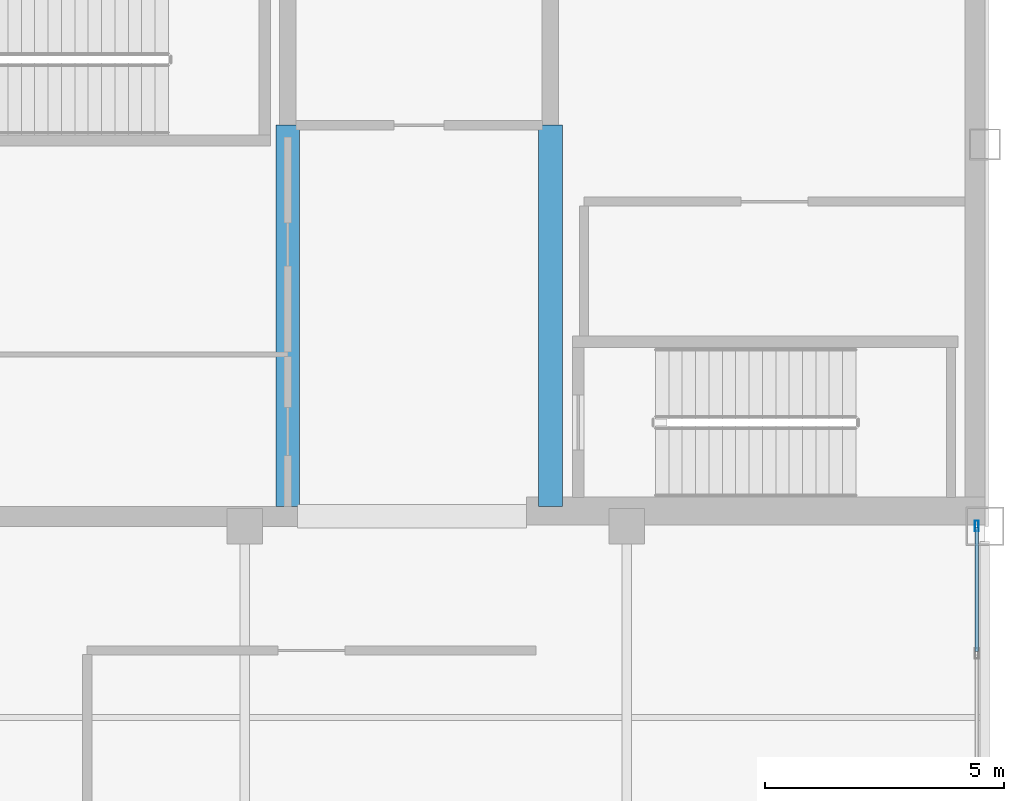
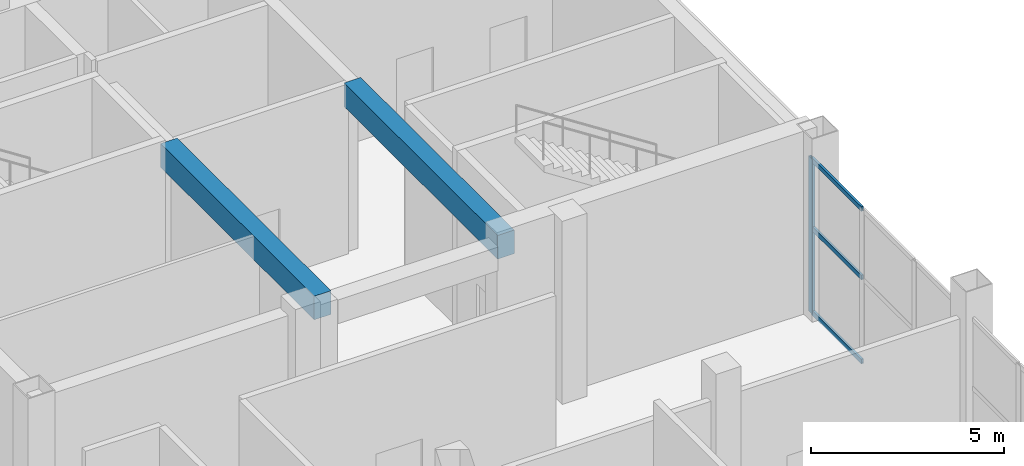
# One storey, part 10 of 18: 4 members, 2 beams, 1 element without a shape of its own.
"""IFC4 building model written with IfcOpenShell, lengths in metres."""

from ifc_helpers import new_model, si_unit, direction, frame, origin, origin_2d, place, context, subcontext, project, spatial, rectangle, hollow_rectangle, extrude, material, layer, layer_set, material_profile, profile_set, type_object, element, aggregate, save


model = new_model("IFC4")

# Units and contexts
model_context = context("Model", 3, precision=1e-05, world=origin(), true_north=direction((0.0, 1.0)))
body_context = subcontext(model_context, "Body", "Model", "MODEL_VIEW")
ifc_project = project(units=[si_unit("LENGTHUNIT", "METRE"), si_unit("AREAUNIT", "SQUARE_METRE"), si_unit("VOLUMEUNIT", "CUBIC_METRE"), si_unit("PLANEANGLEUNIT", "RADIAN"), si_unit("MASSUNIT", "GRAM", prefix="KILO")], contexts=[model_context])

# Site, building, storey
site_placement = place(None, origin())
site = spatial("IfcSite", under=ifc_project, at=site_placement, CompositionType="ELEMENT")
building_placement = place(site_placement, origin())
building = spatial("IfcBuilding", under=site, at=building_placement, Name="Qianrong Seaharbour Tower", CompositionType="ELEMENT")
storey_placement = place(building_placement, frame((0.0, 0.0, 367.199951171875)))
storey = spatial("IfcBuildingStorey", under=building, at=storey_placement, Name="L89", CompositionType="ELEMENT", Elevation=367.199951171875)

# Beams
ifc_material_1 = material(Name="Concrete C60/75", Category="concrete")
ifc_material_profile_1 = material_profile(ifc_material_1, rectangle(XDim=0.5, YDim=0.75, at=origin_2d()), Name="RC500x750")
ifc_profile_set_1 = profile_set([ifc_material_profile_1], Name="Concrete C60/75")
beam_type = type_object("IfcBeamType", Name="BM-LINTEL-750", PredefinedType="LINTEL", material=ifc_profile_set_1)
for number, where, z_axis, x_axis, name in (
    (1, (49.39990234375, 36.419921875, 5.01513671875), (0.0, 1.0, 0.0), (-1.0, 0.0, 0.0), "L89 Internal Core Coupling Beam IW1"),
    (2, (54.89990234375, 36.419921875, 5.01513671875), (0.0, 1.0, 0.0), (-1.0, 0.0, 0.0), "L89 Internal Core Coupling Beam IW2"),
):
    element("IfcBeam", number, at=place(storey_placement, frame(where, z_axis=z_axis, x_axis=x_axis)), inside=storey, type_object=beam_type, Name=name, PredefinedType="LINTEL", context=body_context, shape_type="SweptSolid", body=[
        extrude(rectangle(XDim=0.5, YDim=0.75, at=origin_2d()), origin(), (0.0, 0.0, 1.0), 7.97998046875),
    ])

# Curtain wall, members
ifc_material_2 = material(Name="Anodised aluminium 6063-T6 and laminated low-e glass", Category="aluminium")
ifc_layer = layer(ifc_material_2, 0.22998046875)
ifc_layer_set = layer_set([ifc_layer], Name="Anodised aluminium 6063-T6 and laminated low-e glass")
curtain_wall_type = type_object("IfcCurtainWallType", Name="CW-SYS-5", PredefinedType="NOTDEFINED", material=ifc_layer_set)
curtain_wall_placement = place(storey_placement, origin())
curtain_wall = element("IfcCurtainWall", 3, at=curtain_wall_placement, inside=storey, type_object=curtain_wall_type, Name="L89 Venturi Wind-Turbine Shroud Curtain Wall EAST_WING", PredefinedType="NOTDEFINED")
ifc_material_3 = material(Name="Extruded aluminium 6063-T6", Category="aluminium")
ifc_material_profile_2 = material_profile(ifc_material_3, hollow_rectangle(XDim=0.080078125, YDim=0.219970703125, WallThickness=0.0048828125, at=origin_2d()), Name="ALU-MUL-220x80x5")
ifc_profile_set_2 = profile_set([ifc_material_profile_2], Name="Extruded aluminium 6063-T6")
member_type_1 = type_object("IfcMemberType", Name="CW-MUL-220", PredefinedType="MULLION", material=ifc_profile_set_2)
member_1_placement = place(storey_placement, frame((63.830078125, 36.010009765625, 0.0), z_axis=(0.0, 0.0, 1.0), x_axis=(1.0, 0.0, 0.0)))
member_1 = element("IfcMember", 4, at=member_1_placement, type_object=member_type_1, Name="CW-5 mullion 1", PredefinedType="MULLION", context=body_context, shape_type="SweptSolid", body=[
    extrude(hollow_rectangle(XDim=0.080078125, YDim=0.219970703125, WallThickness=0.0048828125, at=origin_2d()), origin(), (0.0, 0.0, 1.0), 4.900146484375),
])
ifc_material_profile_3 = material_profile(ifc_material_3, hollow_rectangle(XDim=0.06494140625, YDim=0.14990234375, WallThickness=0.00390625, at=origin_2d()), Name="ALU-TRN-150x65x4")
ifc_profile_set_3 = profile_set([ifc_material_profile_3], Name="Extruded aluminium 6063-T6")
member_type_2 = type_object("IfcMemberType", Name="CW-TRN-150", PredefinedType="USERDEFINED", material=ifc_profile_set_3)
member_2_placement = place(storey_placement, frame((63.830078125, 35.969970703125, 0.032470703125), z_axis=(0.0, -1.0, 0.0), x_axis=(1.0, 0.0, 0.0)))
member_2 = element("IfcMember", 5, at=member_2_placement, type_object=member_type_2, Name="CW-5 transom 1.1", ObjectType="TRANSOM", PredefinedType="USERDEFINED", context=body_context, shape_type="SweptSolid", body=[
    extrude(hollow_rectangle(XDim=0.06494140625, YDim=0.14990234375, WallThickness=0.00390625, at=origin_2d()), origin(), (0.0, 0.0, 1.0), 2.590087890625),
])
member_3_placement = place(storey_placement, frame((63.830078125, 35.969970703125, 2.695068359375), z_axis=(0.0, -1.0, 0.0), x_axis=(1.0, 0.0, 0.0)))
member_3 = element("IfcMember", 6, at=member_3_placement, type_object=member_type_2, Name="CW-5 transom 1.2", ObjectType="TRANSOM", PredefinedType="USERDEFINED", context=body_context, shape_type="SweptSolid", body=[
    extrude(hollow_rectangle(XDim=0.06494140625, YDim=0.14990234375, WallThickness=0.00390625, at=origin_2d()), origin(), (0.0, 0.0, 1.0), 2.590087890625),
])
member_4_placement = place(storey_placement, frame((63.830078125, 35.969970703125, 4.867431640625), z_axis=(0.0, -1.0, 0.0), x_axis=(1.0, 0.0, 0.0)))
member_4 = element("IfcMember", 7, at=member_4_placement, type_object=member_type_2, Name="CW-5 transom 1.3", ObjectType="TRANSOM", PredefinedType="USERDEFINED", context=body_context, shape_type="SweptSolid", body=[
    extrude(hollow_rectangle(XDim=0.06494140625, YDim=0.14990234375, WallThickness=0.00390625, at=origin_2d()), origin(), (0.0, 0.0, 1.0), 2.590087890625),
])
aggregate(curtain_wall, [member_1, member_2, member_3, member_4])

save(model, "model.ifc")
